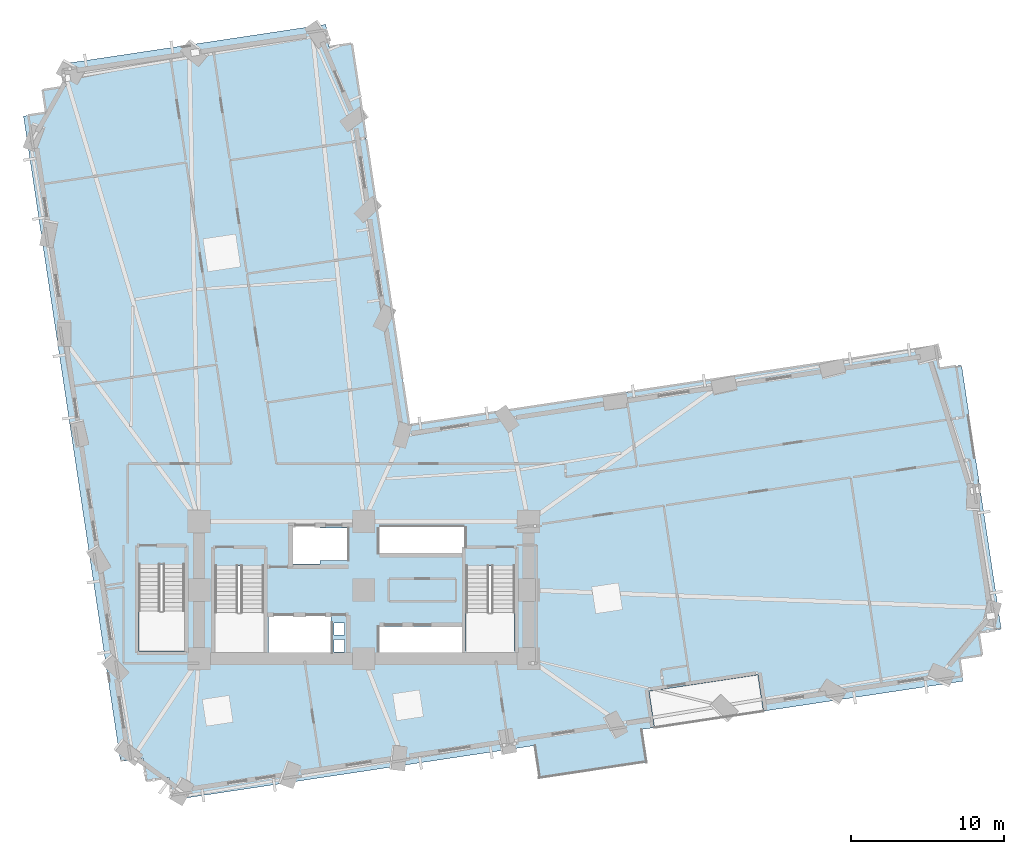
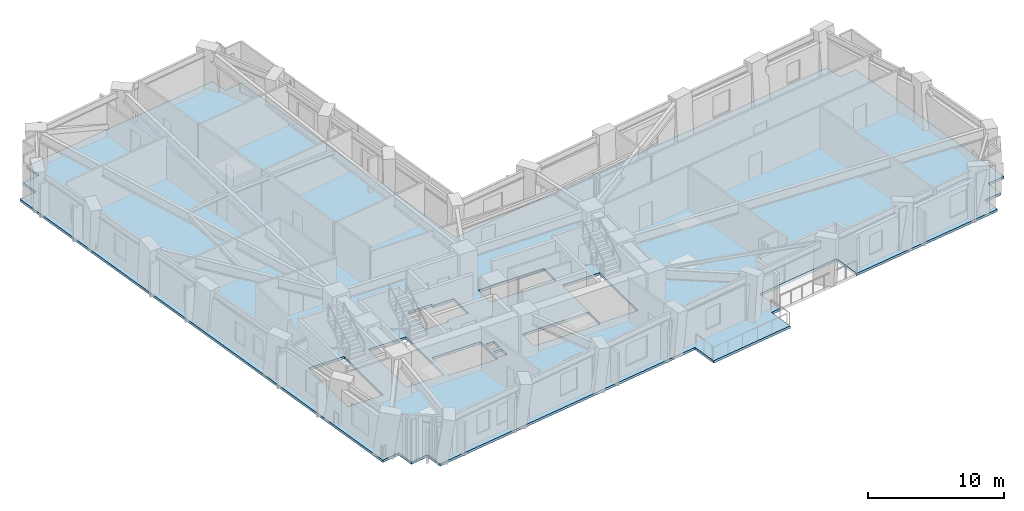
# One storey, part 4 of 15: 1 slab.
"""IFC4 building model written with IfcOpenShell, lengths in metres."""

import ifcopenshell
import ifcopenshell.guid

model = None  # the IFC model being written
_history = None  # IfcOwnerHistory: only IFC2X3 demands one
_inside = {}  # id of a spatial element -> (the spatial element, [elements in it])
_under = {}  # id of a project, library or spatial element -> (it, [spatial elements below it])
_declared = {}  # id of a project -> (the project, [libraries it declares])
_typed = {}  # id of a type object -> (the type object, [elements of that type])
_made_of = {}  # id of a material, layer set ... -> (it, [elements and type objects made of it])


def new_model(schema):
    """Start an empty IFC model of exactly this schema.

    Asked for "IFC4X3", IfcOpenShell would pick the latest addendum, in which some entities
    have other attributes; the version numbers below select the first issue.
    IFC2X3 requires an IfcOwnerHistory on every rooted entity: one is made here for all.
    """
    global model, _history
    if schema == "IFC4X3":
        model = ifcopenshell.file(schema_version=(4, 3, 0, 0))
    else:
        model = ifcopenshell.file(schema=schema)
    _inside.clear()
    _under.clear()
    _declared.clear()
    _typed.clear()
    _made_of.clear()
    _history = None
    if model.schema == "IFC2X3":
        org = make("IfcOrganization", Name="unknown")
        user = make(
            "IfcPersonAndOrganization",
            ThePerson=make("IfcPerson", FamilyName="unknown"),
            TheOrganization=org,
        )
        app = make(
            "IfcApplication",
            ApplicationDeveloper=org,
            Version="unknown",
            ApplicationFullName="unknown",
            ApplicationIdentifier="unknown",
        )
        _history = make(
            "IfcOwnerHistory",
            OwningUser=user,
            OwningApplication=app,
            ChangeAction="ADDED",
            CreationDate=0,
        )
    return model


def make(cls, **values):
    """One entity of the class cls with the attributes given. An attribute that is None is left unset."""
    return model.create_entity(
        cls, **{name: value for name, value in values.items() if value is not None}
    )


def rooted(cls, **values):
    """An entity with a GlobalId (a new one), such as an element, a storey or a relation."""
    return make(cls, GlobalId=ifcopenshell.guid.new(), OwnerHistory=_history, **values)


def si_unit(unit_type, name, prefix=None):
    """IfcSIUnit, for example si_unit("LENGTHUNIT", "METRE", prefix="MILLI")."""
    return make("IfcSIUnit", UnitType=unit_type, Prefix=prefix, Name=name)


def assignment(units):
    """IfcUnitAssignment: the units of a project."""
    return None if units is None else make("IfcUnitAssignment", Units=units)


def point(xyz):
    """IfcCartesianPoint."""
    return None if xyz is None else make("IfcCartesianPoint", Coordinates=xyz)


def direction(xyz):
    """IfcDirection."""
    return None if xyz is None else make("IfcDirection", DirectionRatios=xyz)


def frame(location, z_axis=None, x_axis=None):
    """IfcAxis2Placement3D, a coordinate frame: its origin and axes. An axis left out is left unset."""
    return make(
        "IfcAxis2Placement3D",
        Location=point(location),
        Axis=direction(z_axis),
        RefDirection=direction(x_axis),
    )


def origin():
    """The frame at (0, 0, 0) with its axes left unset."""
    return frame((0.0, 0.0, 0.0))


def place(relative_to, where):
    """IfcLocalPlacement: puts the frame where relative to a parent placement (None: the world)."""
    return make(
        "IfcLocalPlacement", PlacementRelTo=relative_to, RelativePlacement=where
    )


def context(
    kind, dimensions, precision=None, world=None, true_north=None, identifier=None
):
    """IfcGeometricRepresentationContext, for example the 3D "Model" context."""
    return make(
        "IfcGeometricRepresentationContext",
        ContextIdentifier=identifier,
        ContextType=kind,
        CoordinateSpaceDimension=dimensions,
        Precision=precision,
        WorldCoordinateSystem=world,
        TrueNorth=true_north,
    )


def subcontext(parent, identifier, kind, view, scale=None):
    """IfcGeometricRepresentationSubContext, for example "Body" below "Model"."""
    return make(
        "IfcGeometricRepresentationSubContext",
        ContextIdentifier=identifier,
        ContextType=kind,
        ParentContext=parent,
        TargetScale=scale,
        TargetView=view,
    )


def project(units=None, contexts=None):
    """IfcProject with its units and contexts."""
    return rooted(
        "IfcProject",
        Name="project",
        RepresentationContexts=contexts,
        UnitsInContext=assignment(units),
    )


def spatial(cls, under=None, at=None, **own):
    """A site, building, storey or space (cls), placed at a placement, below another one or the project."""
    s = rooted(cls, ObjectPlacement=at, **own)
    if under is not None:
        _under.setdefault(under.id(), (under, []))[1].append(s)
    return s


def polyline(points):
    """IfcPolyline through the points."""
    return make("IfcPolyline", Points=[point(p) for p in points])


def outline(outer, holes=None, kind="AREA"):
    """IfcArbitraryClosedProfileDef: a profile drawn as a closed curve; with holes, ...WithVoids."""
    if holes is None:
        return make("IfcArbitraryClosedProfileDef", ProfileType=kind, OuterCurve=outer)
    return make(
        "IfcArbitraryProfileDefWithVoids",
        ProfileType=kind,
        OuterCurve=outer,
        InnerCurves=holes,
    )


def extrude(swept, where, along, depth):
    """IfcExtrudedAreaSolid: the profile swept, set in the frame where, extruded along a direction by depth."""
    return make(
        "IfcExtrudedAreaSolid",
        SweptArea=swept,
        Position=where,
        ExtrudedDirection=direction(along),
        Depth=depth,
    )


def shape(context_of_items, identifier, shape_type, items):
    """IfcShapeRepresentation: the items that make up one representation, for example the "Body"."""
    return make(
        "IfcShapeRepresentation",
        ContextOfItems=context_of_items,
        RepresentationIdentifier=identifier,
        RepresentationType=shape_type,
        Items=items,
    )


def material(Name=None, Category=None):
    """IfcMaterial."""
    return make("IfcMaterial", Name=Name, Category=Category)


def layer(
    of_material, thickness, ventilated=None, Name=None, Category=None, Priority=None
):
    """IfcMaterialLayer: one layer of a wall or slab, of a material (None: an air gap)."""
    return make(
        "IfcMaterialLayer",
        Material=of_material,
        LayerThickness=thickness,
        IsVentilated=ventilated,
        Name=Name,
        Category=Category,
        Priority=Priority,
    )


def layer_set(layers, Name=None):
    """IfcMaterialLayerSet."""
    return make("IfcMaterialLayerSet", MaterialLayers=layers, LayerSetName=Name)


def made_of(thing, what):
    """Note that an element or type object is made of a material, layer set ...; save() writes the relation."""
    if what is not None:
        _made_of.setdefault(what.id(), (what, []))[1].append(thing)
    return thing


def type_object(cls, material=None, **own):
    """A type object (cls), such as IfcWallType, which elements share."""
    return made_of(rooted(cls, **own), material)


def element(
    cls,
    number,
    at=None,
    inside=None,
    cuts=None,
    type_object=None,
    material=None,
    context=None,
    identifier="Body",
    shape_type=None,
    held_by="IfcProductDefinitionShape",
    body=None,
    shapes=None,
    **own,
):
    """One element of the class cls, such as IfcWall. Its Tag is "e" and its number.

    at: its placement. inside: the storey or other place that contains it. cuts: it is an
    opening in that element (IfcRelVoidsElement). A single representation is given by context,
    identifier, shape_type and body (its items); several are given by shapes. held_by: the class
    of the entity that holds the representations. save() writes the other relations.
    """
    e = rooted(cls, Tag="e%d" % number, ObjectPlacement=at, **own)
    if body is not None:
        shapes = [shape(context, identifier, shape_type, body)]
    if shapes is not None:
        e.Representation = make(held_by, Representations=shapes)
    if inside is not None:
        _inside.setdefault(inside.id(), (inside, []))[1].append(e)
    if cuts is not None:
        rooted(
            "IfcRelVoidsElement", RelatingBuildingElement=cuts, RelatedOpeningElement=e
        )
    if type_object is not None:
        _typed.setdefault(type_object.id(), (type_object, []))[1].append(e)
    return made_of(e, material)


def aggregate(whole, parts):
    """IfcRelAggregates: a whole, such as a stair, and the parts it consists of."""
    return rooted("IfcRelAggregates", RelatingObject=whole, RelatedObjects=parts)


def save(model, path):
    """Write the relations noted so far, then the file.

    IfcRelAggregates (storeys below a building ...), IfcRelContainedInSpatialStructure (elements
    in a storey), IfcRelDefinesByType, IfcRelAssociatesMaterial and IfcRelDeclares: one each for
    every whole, place, type object, material and project.
    """
    for whole, parts in _under.values():
        aggregate(whole, parts)
    for where, things in _inside.values():
        rooted(
            "IfcRelContainedInSpatialStructure",
            RelatedElements=things,
            RelatingStructure=where,
        )
    for kind, things in _typed.values():
        rooted("IfcRelDefinesByType", RelatedObjects=things, RelatingType=kind)
    for what, things in _made_of.values():
        rooted("IfcRelAssociatesMaterial", RelatedObjects=things, RelatingMaterial=what)
    for by, libraries in _declared.values():
        rooted("IfcRelDeclares", RelatingContext=by, RelatedDefinitions=libraries)
    model.write(path)


model = new_model("IFC4")

# Units and contexts
model_context = context("Model", 3, precision=1e-05, world=origin(), true_north=direction((0.0, 1.0)))
body_context = subcontext(model_context, "Body", "Model", "MODEL_VIEW")
ifc_project = project(units=[si_unit("LENGTHUNIT", "METRE"), si_unit("AREAUNIT", "SQUARE_METRE"), si_unit("VOLUMEUNIT", "CUBIC_METRE"), si_unit("PLANEANGLEUNIT", "RADIAN"), si_unit("MASSUNIT", "GRAM", prefix="KILO")], contexts=[model_context])

# Site, building, storey
site_placement = place(None, origin())
site = spatial("IfcSite", under=ifc_project, at=site_placement, CompositionType="ELEMENT")
building_placement = place(site_placement, origin())
building = spatial("IfcBuilding", under=site, at=building_placement, Name="Gaonmaruhae Medical Tower", CompositionType="ELEMENT")
storey_placement = place(building_placement, frame((0.0, 0.0, 59.0)))
storey = spatial("IfcBuildingStorey", under=building, at=storey_placement, Name="L13", CompositionType="ELEMENT", Elevation=59.0)

# Slab
ifc_material = material(Name="Concrete C40/50", Category="concrete")
ifc_layer = layer(ifc_material, 0.219970703125)
ifc_layer_set = layer_set([ifc_layer], Name="Concrete C40/50")
slab_type = type_object("IfcSlabType", Name="FS-220 Clinical Ward Composite Floor Slab", PredefinedType="FLOOR", material=ifc_layer_set)
slab_placement = place(storey_placement, frame((0.0, 0.0, -0.219970703125)))
element("IfcSlab", 1, at=slab_placement, inside=storey, type_object=slab_type, Name="L13 Structural Slab 1", PredefinedType="FLOOR", context=body_context, shape_type="SweptSolid", body=[
    extrude(outline(polyline([(12.044677734375, 0.02001953125), (10.561279296875, -0.203125), (10.338134765625, 1.2802734375), (8.85498046875, 1.05712890625), (2.49169921875, 43.381591796875), (3.97509765625, 43.6044921875), (3.751953125, 45.087890625), (5.2353515625, 45.310791015625), (5.012451171875, 46.794189453125), (22.31787109375, 49.39599609375), (22.541015625, 47.91259765625), (24.024169921875, 48.1357421875), (27.78564453125, 23.116943359375), (62.2978515625, 28.305419921875), (62.520751953125, 26.822265625), (64.004150390625, 27.045166015625), (66.60595703125, 9.73974609375), (65.12255859375, 9.5166015625), (65.345458984375, 8.033447265625), (63.8623046875, 7.810302734375), (64.085205078125, 6.326904296875), (50.996337890625, 4.359130859375), (50.639404296875, 6.732421875), (43.51953125, 5.662109375), (43.876220703125, 3.288818359375), (43.085205078125, 3.169921875), (43.412353515625, 0.994384765625), (36.292236328125, -0.076171875), (35.965087890625, 2.099365234375), (12.267578125, -1.46337890625), (12.044677734375, 0.02001953125)]), holes=[polyline([(23.550048828125, 8.25), (22.85009765625, 8.25), (22.85009765625, 9.050048828125), (23.550048828125, 9.050048828125), (23.550048828125, 8.25)]), polyline([(25.824951171875, 9.925048828125), (31.425048828125, 9.925048828125), (31.425048828125, 8.175048828125), (25.824951171875, 8.175048828125), (25.824951171875, 9.925048828125)]), polyline([(22.64990234375, 10.625), (22.64990234375, 8.074951171875), (18.550048828125, 8.074951171875), (18.550048828125, 10.625), (22.64990234375, 10.625)]), polyline([(23.550048828125, 9.35009765625), (22.85009765625, 9.35009765625), (22.85009765625, 10.14990234375), (23.550048828125, 10.14990234375), (23.550048828125, 9.35009765625)]), polyline([(15.050048828125, 13.889892578125), (18.25, 13.889892578125), (18.25, 8.300048828125), (15.050048828125, 8.300048828125), (15.050048828125, 13.889892578125)]), polyline([(31.5, 13.889892578125), (34.699951171875, 13.889892578125), (34.699951171875, 8.300048828125), (31.5, 8.300048828125), (31.5, 13.889892578125)]), polyline([(10.050048828125, 13.989990234375), (13.050048828125, 13.989990234375), (13.050048828125, 8.300048828125), (10.050048828125, 8.300048828125), (10.050048828125, 13.989990234375)]), polyline([(21.949951171875, 14.02490234375), (19.949951171875, 14.02490234375), (19.949951171875, 16.574951171875), (21.949951171875, 16.574951171875), (21.949951171875, 16.375), (23.72509765625, 16.375), (23.72509765625, 14.22509765625), (21.949951171875, 14.22509765625), (21.949951171875, 14.02490234375)]), polyline([(31.425048828125, 16.425048828125), (31.425048828125, 14.675048828125), (25.824951171875, 14.675048828125), (25.824951171875, 16.425048828125), (31.425048828125, 16.425048828125)])]), origin(), (0.0, 0.0, 1.0), 0.219970703125),
])

save(model, "model.ifc")
